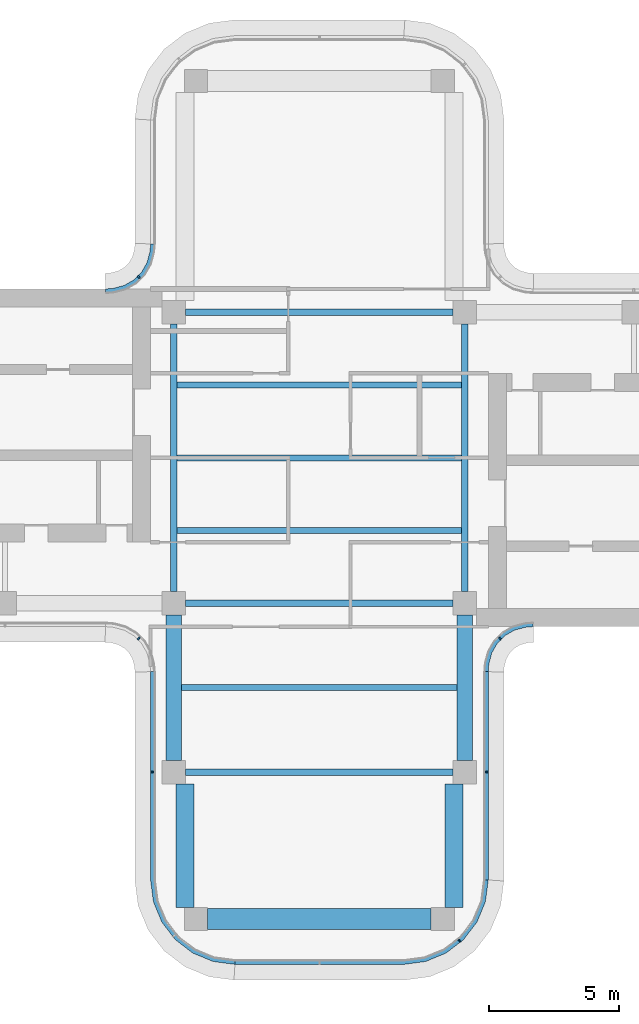
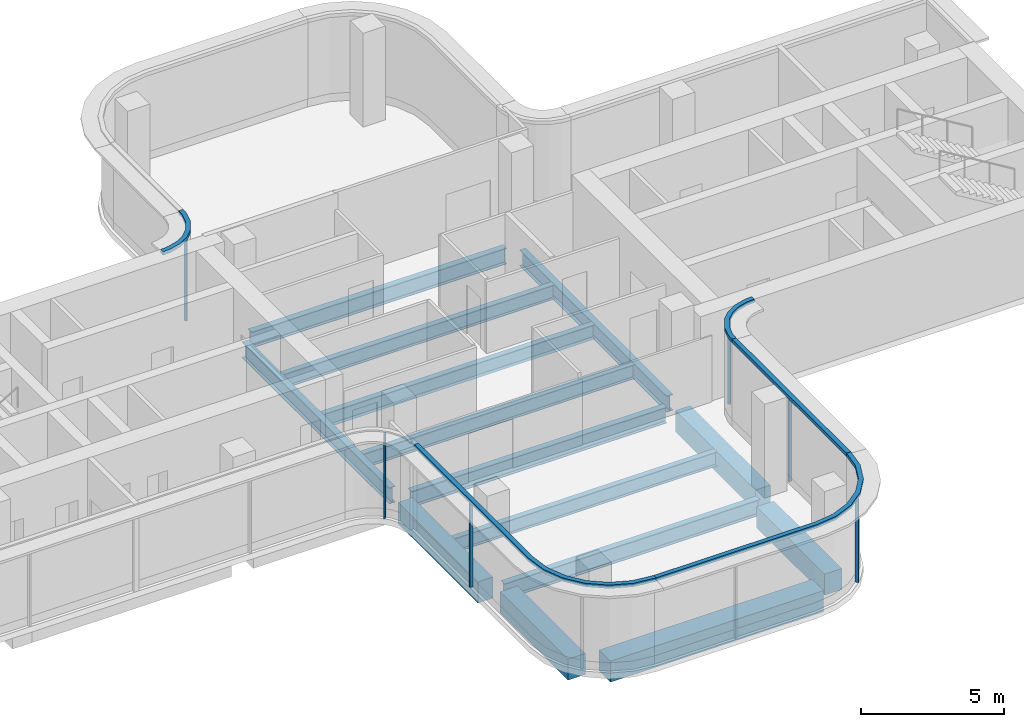
# One storey, part 3 of 11: 14 beams, 11 members, 6 elements without a shape of their own.
"""IFC4 building model written with IfcOpenShell, lengths in metres."""

import ifcopenshell
import ifcopenshell.guid

model = None  # the IFC model being written
_history = None  # IfcOwnerHistory: only IFC2X3 demands one
_inside = {}  # id of a spatial element -> (the spatial element, [elements in it])
_under = {}  # id of a project, library or spatial element -> (it, [spatial elements below it])
_declared = {}  # id of a project -> (the project, [libraries it declares])
_typed = {}  # id of a type object -> (the type object, [elements of that type])
_made_of = {}  # id of a material, layer set ... -> (it, [elements and type objects made of it])


def new_model(schema):
    """Start an empty IFC model of exactly this schema.

    Asked for "IFC4X3", IfcOpenShell would pick the latest addendum, in which some entities
    have other attributes; the version numbers below select the first issue.
    IFC2X3 requires an IfcOwnerHistory on every rooted entity: one is made here for all.
    """
    global model, _history
    if schema == "IFC4X3":
        model = ifcopenshell.file(schema_version=(4, 3, 0, 0))
    else:
        model = ifcopenshell.file(schema=schema)
    _inside.clear()
    _under.clear()
    _declared.clear()
    _typed.clear()
    _made_of.clear()
    _history = None
    if model.schema == "IFC2X3":
        org = make("IfcOrganization", Name="unknown")
        user = make(
            "IfcPersonAndOrganization",
            ThePerson=make("IfcPerson", FamilyName="unknown"),
            TheOrganization=org,
        )
        app = make(
            "IfcApplication",
            ApplicationDeveloper=org,
            Version="unknown",
            ApplicationFullName="unknown",
            ApplicationIdentifier="unknown",
        )
        _history = make(
            "IfcOwnerHistory",
            OwningUser=user,
            OwningApplication=app,
            ChangeAction="ADDED",
            CreationDate=0,
        )
    return model


def make(cls, **values):
    """One entity of the class cls with the attributes given. An attribute that is None is left unset."""
    return model.create_entity(
        cls, **{name: value for name, value in values.items() if value is not None}
    )


def rooted(cls, **values):
    """An entity with a GlobalId (a new one), such as an element, a storey or a relation."""
    return make(cls, GlobalId=ifcopenshell.guid.new(), OwnerHistory=_history, **values)


def si_unit(unit_type, name, prefix=None):
    """IfcSIUnit, for example si_unit("LENGTHUNIT", "METRE", prefix="MILLI")."""
    return make("IfcSIUnit", UnitType=unit_type, Prefix=prefix, Name=name)


def assignment(units):
    """IfcUnitAssignment: the units of a project."""
    return None if units is None else make("IfcUnitAssignment", Units=units)


def point(xyz):
    """IfcCartesianPoint."""
    return None if xyz is None else make("IfcCartesianPoint", Coordinates=xyz)


def direction(xyz):
    """IfcDirection."""
    return None if xyz is None else make("IfcDirection", DirectionRatios=xyz)


def frame(location, z_axis=None, x_axis=None):
    """IfcAxis2Placement3D, a coordinate frame: its origin and axes. An axis left out is left unset."""
    return make(
        "IfcAxis2Placement3D",
        Location=point(location),
        Axis=direction(z_axis),
        RefDirection=direction(x_axis),
    )


def frame_2d(location, x_axis=None):
    """IfcAxis2Placement2D, a coordinate frame in the plane: its origin and x axis."""
    return make(
        "IfcAxis2Placement2D", Location=point(location), RefDirection=direction(x_axis)
    )


def origin():
    """The frame at (0, 0, 0) with its axes left unset."""
    return frame((0.0, 0.0, 0.0))


def origin_2d():
    """The frame at (0, 0) in the plane with its x axis left unset."""
    return frame_2d((0.0, 0.0))


def place(relative_to, where):
    """IfcLocalPlacement: puts the frame where relative to a parent placement (None: the world)."""
    return make(
        "IfcLocalPlacement", PlacementRelTo=relative_to, RelativePlacement=where
    )


def context(
    kind, dimensions, precision=None, world=None, true_north=None, identifier=None
):
    """IfcGeometricRepresentationContext, for example the 3D "Model" context."""
    return make(
        "IfcGeometricRepresentationContext",
        ContextIdentifier=identifier,
        ContextType=kind,
        CoordinateSpaceDimension=dimensions,
        Precision=precision,
        WorldCoordinateSystem=world,
        TrueNorth=true_north,
    )


def subcontext(parent, identifier, kind, view, scale=None):
    """IfcGeometricRepresentationSubContext, for example "Body" below "Model"."""
    return make(
        "IfcGeometricRepresentationSubContext",
        ContextIdentifier=identifier,
        ContextType=kind,
        ParentContext=parent,
        TargetScale=scale,
        TargetView=view,
    )


def project(units=None, contexts=None):
    """IfcProject with its units and contexts."""
    return rooted(
        "IfcProject",
        Name="project",
        RepresentationContexts=contexts,
        UnitsInContext=assignment(units),
    )


def spatial(cls, under=None, at=None, **own):
    """A site, building, storey or space (cls), placed at a placement, below another one or the project."""
    s = rooted(cls, ObjectPlacement=at, **own)
    if under is not None:
        _under.setdefault(under.id(), (under, []))[1].append(s)
    return s


def polyline(points):
    """IfcPolyline through the points."""
    return make("IfcPolyline", Points=[point(p) for p in points])


def profile(cls, at=None, kind="AREA", **sizes):
    """A parametric profile (cls). Its sizes go by their IFC names, for example OverallWidth=200.0."""
    return make(cls, ProfileType=kind, Position=at, **sizes)


def rectangle(**sizes):
    """IfcRectangleProfileDef."""
    return profile("IfcRectangleProfileDef", **sizes)


def i_section(**sizes):
    """IfcIShapeProfileDef."""
    return profile("IfcIShapeProfileDef", **sizes)


def outline(outer, holes=None, kind="AREA"):
    """IfcArbitraryClosedProfileDef: a profile drawn as a closed curve; with holes, ...WithVoids."""
    if holes is None:
        return make("IfcArbitraryClosedProfileDef", ProfileType=kind, OuterCurve=outer)
    return make(
        "IfcArbitraryProfileDefWithVoids",
        ProfileType=kind,
        OuterCurve=outer,
        InnerCurves=holes,
    )


def extrude(swept, where, along, depth):
    """IfcExtrudedAreaSolid: the profile swept, set in the frame where, extruded along a direction by depth."""
    return make(
        "IfcExtrudedAreaSolid",
        SweptArea=swept,
        Position=where,
        ExtrudedDirection=direction(along),
        Depth=depth,
    )


def shape(context_of_items, identifier, shape_type, items):
    """IfcShapeRepresentation: the items that make up one representation, for example the "Body"."""
    return make(
        "IfcShapeRepresentation",
        ContextOfItems=context_of_items,
        RepresentationIdentifier=identifier,
        RepresentationType=shape_type,
        Items=items,
    )


def source(mapping_origin, context_of_items, identifier, shape_type, items):
    """IfcRepresentationMap: a shape defined once, which mapped items show again and again."""
    return make(
        "IfcRepresentationMap",
        MappingOrigin=mapping_origin,
        MappedRepresentation=shape(context_of_items, identifier, shape_type, items),
    )


def transform(
    local_origin,
    x_axis=None,
    y_axis=None,
    z_axis=None,
    scale=None,
    scale2=None,
    scale3=None,
    uniform=True,
):
    """IfcCartesianTransformationOperator3D, or its non-uniform kind. x_axis, y_axis, z_axis: its Axis1, 2, 3."""
    if uniform:
        return make(
            "IfcCartesianTransformationOperator3D",
            Axis1=direction(x_axis),
            Axis2=direction(y_axis),
            LocalOrigin=point(local_origin),
            Scale=scale,
            Axis3=direction(z_axis),
        )
    return make(
        "IfcCartesianTransformationOperator3DnonUniform",
        Axis1=direction(x_axis),
        Axis2=direction(y_axis),
        LocalOrigin=point(local_origin),
        Scale=scale,
        Axis3=direction(z_axis),
        Scale2=scale2,
        Scale3=scale3,
    )


def mapped(mapping_source, mapping_target):
    """IfcMappedItem: shows the shape of a source again, moved by a transform."""
    return make(
        "IfcMappedItem", MappingSource=mapping_source, MappingTarget=mapping_target
    )


def material(Name=None, Category=None):
    """IfcMaterial."""
    return make("IfcMaterial", Name=Name, Category=Category)


def layer(
    of_material, thickness, ventilated=None, Name=None, Category=None, Priority=None
):
    """IfcMaterialLayer: one layer of a wall or slab, of a material (None: an air gap)."""
    return make(
        "IfcMaterialLayer",
        Material=of_material,
        LayerThickness=thickness,
        IsVentilated=ventilated,
        Name=Name,
        Category=Category,
        Priority=Priority,
    )


def layer_set(layers, Name=None):
    """IfcMaterialLayerSet."""
    return make("IfcMaterialLayerSet", MaterialLayers=layers, LayerSetName=Name)


def material_profile(
    of_material, cross_section, Name=None, Category=None, Priority=None
):
    """IfcMaterialProfile: a cross section and its material."""
    return make(
        "IfcMaterialProfile",
        Name=Name,
        Material=of_material,
        Profile=cross_section,
        Priority=Priority,
        Category=Category,
    )


def profile_set(profiles, Name=None, composite=None):
    """IfcMaterialProfileSet."""
    return make(
        "IfcMaterialProfileSet",
        Name=Name,
        MaterialProfiles=profiles,
        CompositeProfile=composite,
    )


def made_of(thing, what):
    """Note that an element or type object is made of a material, layer set ...; save() writes the relation."""
    if what is not None:
        _made_of.setdefault(what.id(), (what, []))[1].append(thing)
    return thing


def type_object(cls, material=None, **own):
    """A type object (cls), such as IfcWallType, which elements share."""
    return made_of(rooted(cls, **own), material)


def element(
    cls,
    number,
    at=None,
    inside=None,
    cuts=None,
    type_object=None,
    material=None,
    context=None,
    identifier="Body",
    shape_type=None,
    held_by="IfcProductDefinitionShape",
    body=None,
    shapes=None,
    **own,
):
    """One element of the class cls, such as IfcWall. Its Tag is "e" and its number.

    at: its placement. inside: the storey or other place that contains it. cuts: it is an
    opening in that element (IfcRelVoidsElement). A single representation is given by context,
    identifier, shape_type and body (its items); several are given by shapes. held_by: the class
    of the entity that holds the representations. save() writes the other relations.
    """
    e = rooted(cls, Tag="e%d" % number, ObjectPlacement=at, **own)
    if body is not None:
        shapes = [shape(context, identifier, shape_type, body)]
    if shapes is not None:
        e.Representation = make(held_by, Representations=shapes)
    if inside is not None:
        _inside.setdefault(inside.id(), (inside, []))[1].append(e)
    if cuts is not None:
        rooted(
            "IfcRelVoidsElement", RelatingBuildingElement=cuts, RelatedOpeningElement=e
        )
    if type_object is not None:
        _typed.setdefault(type_object.id(), (type_object, []))[1].append(e)
    return made_of(e, material)


def aggregate(whole, parts):
    """IfcRelAggregates: a whole, such as a stair, and the parts it consists of."""
    return rooted("IfcRelAggregates", RelatingObject=whole, RelatedObjects=parts)


def save(model, path):
    """Write the relations noted so far, then the file.

    IfcRelAggregates (storeys below a building ...), IfcRelContainedInSpatialStructure (elements
    in a storey), IfcRelDefinesByType, IfcRelAssociatesMaterial and IfcRelDeclares: one each for
    every whole, place, type object, material and project.
    """
    for whole, parts in _under.values():
        aggregate(whole, parts)
    for where, things in _inside.values():
        rooted(
            "IfcRelContainedInSpatialStructure",
            RelatedElements=things,
            RelatingStructure=where,
        )
    for kind, things in _typed.values():
        rooted("IfcRelDefinesByType", RelatedObjects=things, RelatingType=kind)
    for what, things in _made_of.values():
        rooted("IfcRelAssociatesMaterial", RelatedObjects=things, RelatingMaterial=what)
    for by, libraries in _declared.values():
        rooted("IfcRelDeclares", RelatingContext=by, RelatedDefinitions=libraries)
    model.write(path)


model = new_model("IFC4")

# Units and contexts
model_context = context("Model", 3, precision=1e-05, world=origin(), true_north=direction((0.0, 1.0)))
body_context = subcontext(model_context, "Body", "Model", "MODEL_VIEW")
ifc_project = project(units=[si_unit("LENGTHUNIT", "METRE"), si_unit("AREAUNIT", "SQUARE_METRE"), si_unit("VOLUMEUNIT", "CUBIC_METRE"), si_unit("PLANEANGLEUNIT", "RADIAN"), si_unit("MASSUNIT", "GRAM", prefix="KILO")], contexts=[model_context])

# Site, building, storey
site_placement = place(None, origin())
site = spatial("IfcSite", under=ifc_project, at=site_placement, CompositionType="ELEMENT")
building_placement = place(site_placement, origin())
building = spatial("IfcBuilding", under=site, at=building_placement, Name="Trellis Farm Tower", CompositionType="ELEMENT")
storey_placement = place(building_placement, frame((0.0, 0.0, 342.10009765625)))
storey = spatial("IfcBuildingStorey", under=building, at=storey_placement, Name="L77", CompositionType="ELEMENT", Elevation=342.10009765625)

# Curtain wall, member
ifc_material_1 = material(Name="Aluminium and glass curtain wall", Category="aluminium")
ifc_layer_1 = layer(ifc_material_1, 0.176025390625)
ifc_layer_set_1 = layer_set([ifc_layer_1], Name="CROWN LANTERN CURTAIN WALL CW5")
curtain_wall_type = type_object("IfcCurtainWallType", Name="CROWN LANTERN CURTAIN WALL CW5", PredefinedType="NOTDEFINED", material=ifc_layer_set_1)
placement_1 = place(storey_placement, origin())
curtain_wall_1 = element("IfcCurtainWall", 1, at=placement_1, inside=storey, type_object=curtain_wall_type, Name="CW5 002", PredefinedType="NOTDEFINED")
ifc_material_2 = material(Name="Aluminium extrusion 6063-T6", Category="aluminium")
ifc_layer_2 = layer(ifc_material_2, 0.176025390625)
ifc_layer_set_2 = layer_set([ifc_layer_2], Name="Aluminium extrusion 6063-T6")
member_type_1 = type_object("IfcMemberType", Name="CW5 TRANSOM 176x150", PredefinedType="USERDEFINED", material=ifc_layer_set_2)
placement_2 = place(storey_placement, frame((0.0, 0.0, 3.599853515625)))
member_1 = element("IfcMember", 2, at=placement_2, type_object=member_type_1, Name="TR5 002", ObjectType="TRANSOM", PredefinedType="USERDEFINED", context=body_context, shape_type="SweptSolid", body=[
    extrude(outline(polyline([(-3.25, -19.5), (3.25, -19.5), (4.091064453125, -19.38916015625), (4.875, -19.064697265625), (5.548095703125, -18.548095703125), (6.064697265625, -17.875), (6.38916015625, -17.091064453125), (6.5, -16.25), (6.323974609375, -16.238525390625), (6.2177734375, -17.045166015625), (5.910888671875, -17.7861328125), (5.422607421875, -18.422607421875), (4.7861328125, -18.910888671875), (4.045166015625, -19.2177734375), (3.238525390625, -19.323974609375), (-3.238525390625, -19.323974609375), (-3.25, -19.5)])), origin(), (0.0, 0.0, 1.0), 0.150146484375),
])

# Beams
ifc_material_3 = material(Name="Steel S355", Category="steel")
ifc_material_profile_1 = material_profile(ifc_material_3, i_section(OverallWidth=0.22900390625, OverallDepth=0.6123046875, WebThickness=0.011962890625, FlangeThickness=0.01953125, FilletRadius=0.0126953125, at=origin_2d()), Name="UB 610x229x125")
ifc_profile_set_1 = profile_set([ifc_material_profile_1], Name="Steel S355")
beam_type_1 = type_object("IfcBeamType", Name="UB 610x229x125 joist", PredefinedType="JOIST", material=ifc_profile_set_1)
shared_shape_1 = source(origin(), body_context, "Body", "SweptSolid", [
    extrude(i_section(OverallWidth=0.22900390625, OverallDepth=0.6123046875, WebThickness=0.011962890625, FlangeThickness=0.01953125, FilletRadius=0.0126953125, at=origin_2d()), origin(), (0.0, 0.0, 1.0), 10.9462890625),
])
for number, where, z_axis, x_axis, name in (
    (3, (-5.47314453125, -2.800048828125, -0.55615234375), (1.0, 0.0, 0.0), (0.0, 1.0, 0.0), "Floor beam"),
    (4, (-5.47314453125, 0.0, -0.55615234375), (1.0, 0.0, 0.0), (0.0, 1.0, 0.0), "Floor beam"),
    (5, (-5.47314453125, 2.800048828125, -0.55615234375), (1.0, 0.0, 0.0), (0.0, 1.0, 0.0), "Floor beam"),
):
    element("IfcBeam", number, at=place(storey_placement, frame(where, z_axis=z_axis, x_axis=x_axis)), inside=storey, type_object=beam_type_1, Name=name, PredefinedType="JOIST", context=body_context, shape_type="MappedRepresentation", body=[
        mapped(shared_shape_1, transform((0.0, 0.0, 0.0))),
    ])
shared_shape_2 = source(origin(), body_context, "Body", "SweptSolid", [
    extrude(i_section(OverallWidth=0.22900390625, OverallDepth=0.6123046875, WebThickness=0.011962890625, FlangeThickness=0.01953125, FilletRadius=0.0126953125, at=origin_2d()), origin(), (0.0, 0.0, 1.0), 10.60009765625),
])
beam_1_placement = place(storey_placement, frame((-5.300048828125, -8.85009765625, -0.55615234375), z_axis=(1.0, 0.0, 0.0), x_axis=(0.0, 1.0, 0.0)))
element("IfcBeam", 6, at=beam_1_placement, inside=storey, type_object=beam_type_1, Name="Floor beam", PredefinedType="JOIST", context=body_context, shape_type="MappedRepresentation", body=[
    mapped(shared_shape_2, transform((0.0, 0.0, 0.0))),
])
ifc_material_4 = material(Name="Concrete C60/75", Category="concrete")
ifc_material_profile_2 = material_profile(ifc_material_4, rectangle(XDim=0.60009765625, YDim=0.89990234375, at=origin_2d()), Name="RC spandrel beam 600x900 C60/75")
ifc_profile_set_2 = profile_set([ifc_material_profile_2], Name="Concrete C60/75")
beam_type_2 = type_object("IfcBeamType", Name="RC spandrel beam 600x900 C60/75", PredefinedType="SPANDREL", material=ifc_profile_set_2)
shared_shape_3 = source(origin(), body_context, "Body", "SweptSolid", [
    extrude(rectangle(XDim=0.60009765625, YDim=0.89990234375, at=origin_2d()), origin(), (0.0, 0.0, 1.0), 5.599853515625),
])
for number, where, z_axis, x_axis, name in (
    (7, (-5.60009765625, -11.64990234375, -0.7001953125), (0.0, 1.0, 0.0), (-1.0, 0.0, 0.0), "Girder"),
    (8, (5.60009765625, -11.64990234375, -0.7001953125), (0.0, 1.0, 0.0), (-1.0, 0.0, 0.0), "Girder"),
):
    element("IfcBeam", number, at=place(storey_placement, frame(where, z_axis=z_axis, x_axis=x_axis)), inside=storey, type_object=beam_type_2, Name=name, PredefinedType="SPANDREL", context=body_context, shape_type="MappedRepresentation", body=[
        mapped(shared_shape_3, transform((0.0, 0.0, 0.0))),
    ])
ifc_material_profile_3 = material_profile(ifc_material_3, i_section(OverallWidth=0.253662109375, OverallDepth=0.68359375, WebThickness=0.012451171875, FlangeThickness=0.021728515625, FilletRadius=0.01513671875, at=origin_2d()), Name="UB 686x254x140")
ifc_profile_set_3 = profile_set([ifc_material_profile_3], Name="Steel S355")
beam_type_3 = type_object("IfcBeamType", Name="UB 686x254x140", PredefinedType="BEAM", material=ifc_profile_set_3)
shared_shape_4 = source(origin(), body_context, "Body", "SweptSolid", [
    extrude(i_section(OverallWidth=0.253662109375, OverallDepth=0.68359375, WebThickness=0.012451171875, FlangeThickness=0.021728515625, FilletRadius=0.01513671875, at=origin_2d()), origin(), (0.0, 0.0, 1.0), 10.2998046875),
])
for number, where, z_axis, x_axis, name in (
    (9, (-5.14990234375, -12.10009765625, -0.591796875), (1.0, 0.0, 0.0), (0.0, 1.0, 0.0), "Girder"),
    (10, (-5.14990234375, -5.60009765625, -0.591796875), (1.0, 0.0, 0.0), (0.0, 1.0, 0.0), "Girder"),
    (11, (-5.14990234375, 5.60009765625, -0.591796875), (1.0, 0.0, 0.0), (0.0, 1.0, 0.0), "Girder"),
    (12, (-5.60009765625, -5.14990234375, -0.591796875), (0.0, 1.0, 0.0), (-1.0, 0.0, 0.0), "Girder"),
    (13, (5.60009765625, -5.14990234375, -0.591796875), (0.0, 1.0, 0.0), (-1.0, 0.0, 0.0), "Girder"),
):
    element("IfcBeam", number, at=place(storey_placement, frame(where, z_axis=z_axis, x_axis=x_axis)), inside=storey, type_object=beam_type_3, Name=name, PredefinedType="BEAM", context=body_context, shape_type="MappedRepresentation", body=[
        mapped(shared_shape_4, transform((0.0, 0.0, 0.0))),
    ])
ifc_material_profile_4 = material_profile(ifc_material_4, rectangle(XDim=0.699951171875, YDim=0.89990234375, at=origin_2d()), Name="RC spandrel beam 700x900 C60/75")
ifc_profile_set_4 = profile_set([ifc_material_profile_4], Name="Concrete C60/75")
beam_type_4 = type_object("IfcBeamType", Name="RC spandrel beam 700x900 C60/75", PredefinedType="SPANDREL", material=ifc_profile_set_4)
shared_shape_5 = source(origin(), body_context, "Body", "SweptSolid", [
    extrude(rectangle(XDim=0.699951171875, YDim=0.89990234375, at=origin_2d()), origin(), (0.0, 0.0, 1.0), 4.75),
])
for number, where, z_axis, x_axis, name in (
    (14, (-5.175048828125, -17.300048828125, -0.7001953125), (0.0, 1.0, 0.0), (-1.0, 0.0, 0.0), "Girder"),
    (15, (5.175048828125, -17.300048828125, -0.7001953125), (0.0, 1.0, 0.0), (-1.0, 0.0, 0.0), "Girder"),
):
    element("IfcBeam", number, at=place(storey_placement, frame(where, z_axis=z_axis, x_axis=x_axis)), inside=storey, type_object=beam_type_4, Name=name, PredefinedType="SPANDREL", context=body_context, shape_type="MappedRepresentation", body=[
        mapped(shared_shape_5, transform((0.0, 0.0, 0.0))),
    ])
ifc_material_profile_5 = material_profile(ifc_material_4, rectangle(XDim=0.800048828125, YDim=0.89990234375, at=origin_2d()), Name="RC spandrel beam 800x900 C60/75")
ifc_profile_set_5 = profile_set([ifc_material_profile_5], Name="Concrete C60/75")
beam_type_5 = type_object("IfcBeamType", Name="RC spandrel beam 800x900 C60/75", PredefinedType="SPANDREL", material=ifc_profile_set_5)
shared_shape_6 = source(origin(), body_context, "Body", "SweptSolid", [
    extrude(rectangle(XDim=0.800048828125, YDim=0.89990234375, at=origin_2d()), origin(), (0.0, 0.0, 1.0), 8.60009765625),
])
beam_2_placement = place(storey_placement, frame((-4.300048828125, -17.75, -0.7001953125), z_axis=(1.0, 0.0, 0.0), x_axis=(0.0, 1.0, 0.0)))
element("IfcBeam", 16, at=beam_2_placement, inside=storey, type_object=beam_type_5, Name="Girder", PredefinedType="SPANDREL", context=body_context, shape_type="MappedRepresentation", body=[
    mapped(shared_shape_6, transform((0.0, 0.0, 0.0))),
])

# Curtain wall, member
curtain_wall_2 = element("IfcCurtainWall", 17, at=placement_1, inside=storey, type_object=curtain_wall_type, Name="CW5 001", PredefinedType="NOTDEFINED")
ifc_material_profile_6 = material_profile(ifc_material_2, rectangle(XDim=0.06005859375, YDim=0.1201171875, at=origin_2d()), Name="MULLION 60x120")
ifc_profile_set_6 = profile_set([ifc_material_profile_6], Name="Aluminium extrusion 6063-T6")
member_type_2 = type_object("IfcMemberType", Name="CW5 MULLION 60x120", PredefinedType="MULLION", material=ifc_profile_set_6)
shared_shape_7 = source(origin(), body_context, "Body", "SweptSolid", [
    extrude(rectangle(XDim=0.06005859375, YDim=0.1201171875, at=origin_2d()), origin(), (0.0, 0.0, 1.0), 3.599853515625),
])
member_2_placement = place(storey_placement, frame((-6.43994140625, -12.10009765625, 0.0), z_axis=(0.0, 0.0, 1.0), x_axis=(0.0, -1.0, 0.0)))
member_2 = element("IfcMember", 18, at=member_2_placement, type_object=member_type_2, Name="MU5 001-01", PredefinedType="MULLION", context=body_context, shape_type="MappedRepresentation", body=[
    mapped(shared_shape_7, transform((0.0, 0.0, 0.0))),
])

# Member
member_3_placement = place(storey_placement, frame((5.394775390625, -18.590087890625, 0.0), z_axis=(0.0, 0.0, 1.0), x_axis=(0.793353340291, 0.608761429009, 0.0)))
member_3 = element("IfcMember", 19, at=member_3_placement, type_object=member_type_2, Name="MU5 002-02", PredefinedType="MULLION", context=body_context, shape_type="MappedRepresentation", body=[
    mapped(shared_shape_7, transform((0.0, 0.0, 0.0))),
])

aggregate(curtain_wall_1, [member_3, member_1])

# Curtain wall, member
curtain_wall_3 = element("IfcCurtainWall", 20, at=placement_1, inside=storey, type_object=curtain_wall_type, Name="CW5 003", PredefinedType="NOTDEFINED")
member_4_placement = place(storey_placement, frame((6.43994140625, -12.10009765625, 0.0), z_axis=(0.0, 0.0, 1.0), x_axis=(0.0, 1.0, 0.0)))
member_4 = element("IfcMember", 21, at=member_4_placement, type_object=member_type_2, Name="MU5 003-01", PredefinedType="MULLION", context=body_context, shape_type="MappedRepresentation", body=[
    mapped(shared_shape_7, transform((0.0, 0.0, 0.0))),
])

curtain_wall_4 = element("IfcCurtainWall", 22, at=placement_1, inside=storey, type_object=curtain_wall_type, Name="CW5 004", PredefinedType="NOTDEFINED")
member_5_placement = place(storey_placement, frame((6.953125, -6.953125, 0.0), z_axis=(0.0, 0.0, 1.0), x_axis=(0.707106781187, 0.707106781187, 0.0)))
member_5 = element("IfcMember", 23, at=member_5_placement, type_object=member_type_2, Name="MU5 004-01", PredefinedType="MULLION", context=body_context, shape_type="MappedRepresentation", body=[
    mapped(shared_shape_7, transform((0.0, 0.0, 0.0))),
])

curtain_wall_5 = element("IfcCurtainWall", 24, at=placement_1, inside=storey, type_object=curtain_wall_type, Name="CW5 011", PredefinedType="NOTDEFINED")
member_6_placement = place(storey_placement, frame((-6.953125, 6.953125, 0.0), z_axis=(0.0, 0.0, 1.0), x_axis=(-0.707106781187, -0.707106781187, 0.0)))
member_6 = element("IfcMember", 25, at=member_6_placement, type_object=member_type_2, Name="MU5 011-01", PredefinedType="MULLION", context=body_context, shape_type="MappedRepresentation", body=[
    mapped(shared_shape_7, transform((0.0, 0.0, 0.0))),
])

curtain_wall_6 = element("IfcCurtainWall", 26, at=placement_1, inside=storey, type_object=curtain_wall_type, Name="CW5 014", PredefinedType="NOTDEFINED")
member_7_placement = place(storey_placement, frame((-6.953125, -6.953125, 0.0), z_axis=(0.0, 0.0, 1.0), x_axis=(0.707106781187, -0.707106781187, 0.0)))
member_7 = element("IfcMember", 27, at=member_7_placement, type_object=member_type_2, Name="MU5 014-01", PredefinedType="MULLION", context=body_context, shape_type="MappedRepresentation", body=[
    mapped(shared_shape_7, transform((0.0, 0.0, 0.0))),
])
aggregate(curtain_wall_6, [member_7])

# Member
shared_shape_8 = source(origin(), body_context, "Body", "SweptSolid", [
    extrude(outline(polyline([(-6.5, -8.2314453125), (-6.5, -16.25), (-6.38916015625, -17.091064453125), (-6.064697265625, -17.875), (-5.548095703125, -18.548095703125), (-4.875, -19.064697265625), (-4.091064453125, -19.38916015625), (-3.25, -19.5), (-3.238525390625, -19.323974609375), (-4.045166015625, -19.2177734375), (-4.7861328125, -18.910888671875), (-5.422607421875, -18.422607421875), (-5.910888671875, -17.7861328125), (-6.2177734375, -17.045166015625), (-6.323974609375, -16.238525390625), (-6.323974609375, -8.2255859375), (-6.5, -8.2314453125)])), origin(), (0.0, 0.0, 1.0), 0.150146484375),
])
member_8 = element("IfcMember", 28, at=placement_2, type_object=member_type_1, Name="TR5 001", ObjectType="TRANSOM", PredefinedType="USERDEFINED", context=body_context, shape_type="MappedRepresentation", body=[
    mapped(shared_shape_8, transform((0.0, 0.0, 0.0))),
])

aggregate(curtain_wall_2, [member_2, member_8])

shared_shape_9 = source(origin(), body_context, "Body", "SweptSolid", [
    extrude(outline(polyline([(6.5, -16.25), (6.5, -8.2314453125), (6.323974609375, -8.2255859375), (6.323974609375, -16.238525390625), (6.5, -16.25)])), origin(), (0.0, 0.0, 1.0), 0.150146484375),
])
member_9 = element("IfcMember", 29, at=placement_2, type_object=member_type_1, Name="TR5 003", ObjectType="TRANSOM", PredefinedType="USERDEFINED", context=body_context, shape_type="MappedRepresentation", body=[
    mapped(shared_shape_9, transform((0.0, 0.0, 0.0))),
])

aggregate(curtain_wall_3, [member_4, member_9])

shared_shape_10 = source(origin(), body_context, "Body", "SweptSolid", [
    extrude(outline(polyline([(6.5, -8.2314453125), (6.513916015625, -8.01953125), (6.527587890625, -7.91552734375), (6.63671875, -7.508544921875), (6.846923828125, -7.144287109375), (7.144287109375, -6.846923828125), (7.508544921875, -6.63671875), (7.91552734375, -6.527587890625), (8.01953125, -6.513916015625), (8.2314453125, -6.5), (8.2255859375, -6.323974609375), (8.002197265625, -6.338623046875), (7.881103515625, -6.3544921875), (7.440673828125, -6.47265625), (7.0361328125, -6.7060546875), (6.7060546875, -7.0361328125), (6.47265625, -7.440673828125), (6.3544921875, -7.881103515625), (6.338623046875, -8.002197265625), (6.323974609375, -8.2255859375), (6.5, -8.2314453125)])), origin(), (0.0, 0.0, 1.0), 0.150146484375),
])
member_10 = element("IfcMember", 30, at=placement_2, type_object=member_type_1, Name="TR5 004", ObjectType="TRANSOM", PredefinedType="USERDEFINED", context=body_context, shape_type="MappedRepresentation", body=[
    mapped(shared_shape_10, transform((0.0, 0.0, 0.0))),
])

aggregate(curtain_wall_4, [member_5, member_10])

shared_shape_11 = source(origin(), body_context, "Body", "SweptSolid", [
    extrude(outline(polyline([(-6.5, 8.2314453125), (-6.513916015625, 8.01953125), (-6.527587890625, 7.91552734375), (-6.63671875, 7.508544921875), (-6.846923828125, 7.144287109375), (-7.144287109375, 6.846923828125), (-7.508544921875, 6.63671875), (-7.91552734375, 6.527587890625), (-8.01953125, 6.513916015625), (-8.2314453125, 6.5), (-8.2255859375, 6.323974609375), (-8.002197265625, 6.338623046875), (-7.881103515625, 6.3544921875), (-7.440673828125, 6.47265625), (-7.0361328125, 6.7060546875), (-6.7060546875, 7.0361328125), (-6.47265625, 7.440673828125), (-6.3544921875, 7.881103515625), (-6.338623046875, 8.002197265625), (-6.323974609375, 8.2255859375), (-6.5, 8.2314453125)])), origin(), (0.0, 0.0, 1.0), 0.150146484375),
])
member_11 = element("IfcMember", 31, at=placement_2, type_object=member_type_1, Name="TR5 011", ObjectType="TRANSOM", PredefinedType="USERDEFINED", context=body_context, shape_type="MappedRepresentation", body=[
    mapped(shared_shape_11, transform((0.0, 0.0, 0.0))),
])

aggregate(curtain_wall_5, [member_6, member_11])

save(model, "model.ifc")
